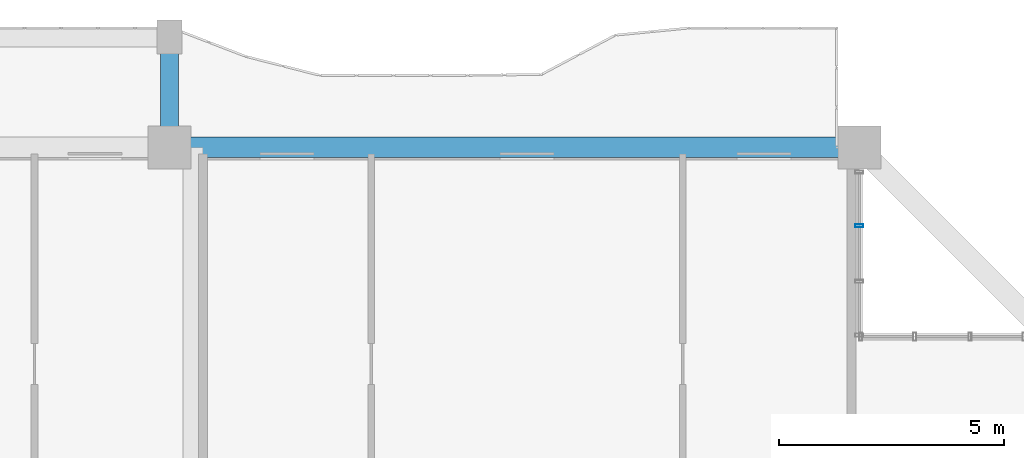
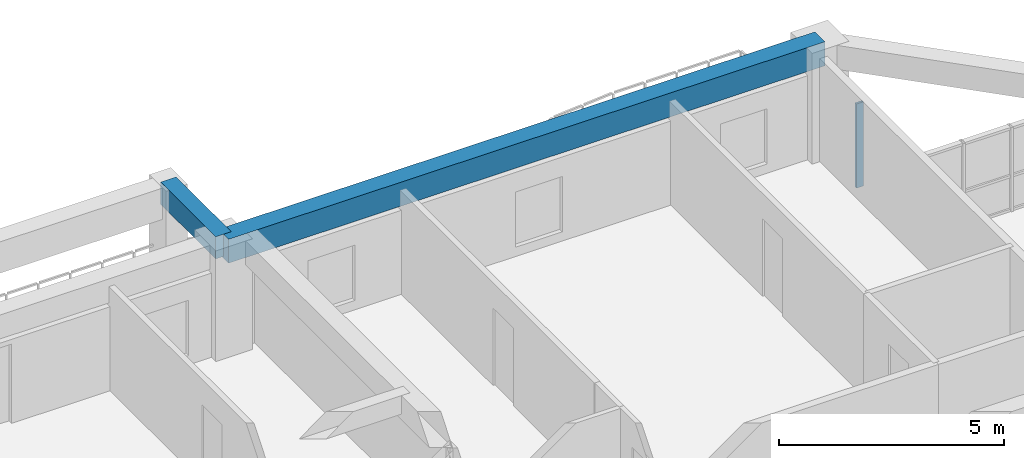
# One storey, part 11 of 25: 2 beams, 1 member, 1 element without a shape of its own.
"""IFC4 building model written with IfcOpenShell, lengths in metres."""

from ifc_helpers import new_model, si_unit, direction, frame, origin, origin_2d, place, context, subcontext, project, spatial, rectangle, hollow_rectangle, extrude, source, transform, mapped, material, layer, layer_set, material_profile, profile_set, type_object, element, aggregate, save


model = new_model("IFC4")

# Units and contexts
model_context = context("Model", 3, precision=1e-05, world=origin(), true_north=direction((0.0, 1.0)))
body_context = subcontext(model_context, "Body", "Model", "MODEL_VIEW")
ifc_project = project(units=[si_unit("LENGTHUNIT", "METRE"), si_unit("AREAUNIT", "SQUARE_METRE"), si_unit("VOLUMEUNIT", "CUBIC_METRE"), si_unit("PLANEANGLEUNIT", "RADIAN"), si_unit("MASSUNIT", "GRAM", prefix="KILO")], contexts=[model_context])

# Site, building, storey
site_placement = place(None, origin())
site = spatial("IfcSite", under=ifc_project, at=site_placement, CompositionType="ELEMENT")
building_placement = place(site_placement, origin())
building = spatial("IfcBuilding", under=site, at=building_placement, Name="Saelheon Loggia Tower", CompositionType="ELEMENT")
storey_placement = place(building_placement, frame((0.0, 0.0, 80.85009765625)))
storey = spatial("IfcBuildingStorey", under=building, at=storey_placement, Name="L25", CompositionType="ELEMENT", Elevation=80.85009765625)

# Beams
ifc_material_1 = material(Name="Precast Concrete C45/55", Category="concrete")
ifc_material_profile_1 = material_profile(ifc_material_1, rectangle(XDim=0.39990234375, YDim=0.60009765625, at=origin_2d()), Name="RC-400x600")
ifc_profile_set_1 = profile_set([ifc_material_profile_1], Name="Precast Concrete C45/55")
beam_type_1 = type_object("IfcBeamType", Name="Beam_LoggiaTie_RC400x600", PredefinedType="BEAM", material=ifc_profile_set_1)
shared_shape_1 = source(origin(), body_context, "Body", "SweptSolid", [
    extrude(rectangle(XDim=0.39990234375, YDim=0.60009765625, at=origin_2d()), origin(), (0.0, 0.0, 1.0), 2.449951171875),
])
beam_1_placement = place(storey_placement, frame((44.5, 51.0, 2.699951171875), z_axis=(0.0, 1.0, 0.0), x_axis=(-1.0, 0.0, 0.0)))
element("IfcBeam", 1, at=beam_1_placement, inside=storey, type_object=beam_type_1, Name="L25 Loggia Frame Tie Beam LP-N2", PredefinedType="BEAM", context=body_context, shape_type="MappedRepresentation", body=[
    mapped(shared_shape_1, transform((0.0, 0.0, 0.0), scale=1.0)),
])
ifc_material_2 = material(Name="Concrete C40/50", Category="concrete")
ifc_material_profile_2 = material_profile(ifc_material_2, rectangle(XDim=0.449951171875, YDim=0.64990234375, at=origin_2d()), Name="RC-450x650")
ifc_profile_set_2 = profile_set([ifc_material_profile_2], Name="Concrete C40/50")
beam_type_2 = type_object("IfcBeamType", Name="Beam_PerimTower_RC450x650", PredefinedType="BEAM", material=ifc_profile_set_2)
shared_shape_2 = source(origin(), body_context, "Body", "SweptSolid", [
    extrude(rectangle(XDim=0.449951171875, YDim=0.64990234375, at=origin_2d()), origin(), (0.0, 0.0, 1.0), 15.300048828125),
])
beam_2_placement = place(storey_placement, frame((59.800048828125, 51.0, 2.6748046875), z_axis=(-1.0, 0.0, 0.0), x_axis=(0.0, -1.0, 0.0)))
element("IfcBeam", 2, at=beam_2_placement, inside=storey, type_object=beam_type_2, Name="L25 Perimeter Frame Girder 09", PredefinedType="BEAM", context=body_context, shape_type="MappedRepresentation", body=[
    mapped(shared_shape_2, transform((0.0, 0.0, 0.0), scale=1.0)),
])

# Curtain wall, member
ifc_material_3 = material(Name="Thermal-Break Aluminium and Triple Low-E Glass", Category="aluminium")
ifc_layer = layer(ifc_material_3, 0.159912109375)
ifc_layer_set = layer_set([ifc_layer], Name="Thermal-Break Aluminium and Triple Low-E Glass")
curtain_wall_type = type_object("IfcCurtainWallType", Name="CW_TowerLoggiaLow", PredefinedType="NOTDEFINED", material=ifc_layer_set)
curtain_wall_placement = place(storey_placement, origin())
curtain_wall = element("IfcCurtainWall", 3, at=curtain_wall_placement, inside=storey, type_object=curtain_wall_type, Name="L25 Corner Notch Glazing NE1", PredefinedType="NOTDEFINED")
ifc_material_4 = material(Name="Anodised Aluminium 6063-T6", Category="aluminium")
ifc_material_profile_3 = material_profile(ifc_material_4, hollow_rectangle(XDim=0.06494140625, YDim=0.179931640625, WallThickness=0.00390625, at=origin_2d()), Name="RHS-180x65x4")
ifc_profile_set_3 = profile_set([ifc_material_profile_3], Name="Anodised Aluminium 6063-T6")
member_type = type_object("IfcMemberType", Name="CW_TowerLoggiaLow_Mullion", PredefinedType="MULLION", material=ifc_profile_set_3)
shared_shape_3 = source(origin(), body_context, "Body", "SweptSolid", [
    extrude(hollow_rectangle(XDim=0.06494140625, YDim=0.179931640625, WallThickness=0.00390625, at=origin_2d()), origin(), (0.0, 0.0, 1.0), 2.27978515625),
])
member_placement = place(storey_placement, frame((59.800048828125, 49.256591796875, 0.0), z_axis=(0.0, 0.0, 1.0), x_axis=(0.0, 1.0, 0.0)))
member = element("IfcMember", 4, at=member_placement, type_object=member_type, Name="CW3 mullion 3", PredefinedType="MULLION", context=body_context, shape_type="MappedRepresentation", body=[
    mapped(shared_shape_3, transform((0.0, 0.0, 0.0), scale=1.0)),
])
aggregate(curtain_wall, [member])

save(model, "model.ifc")
